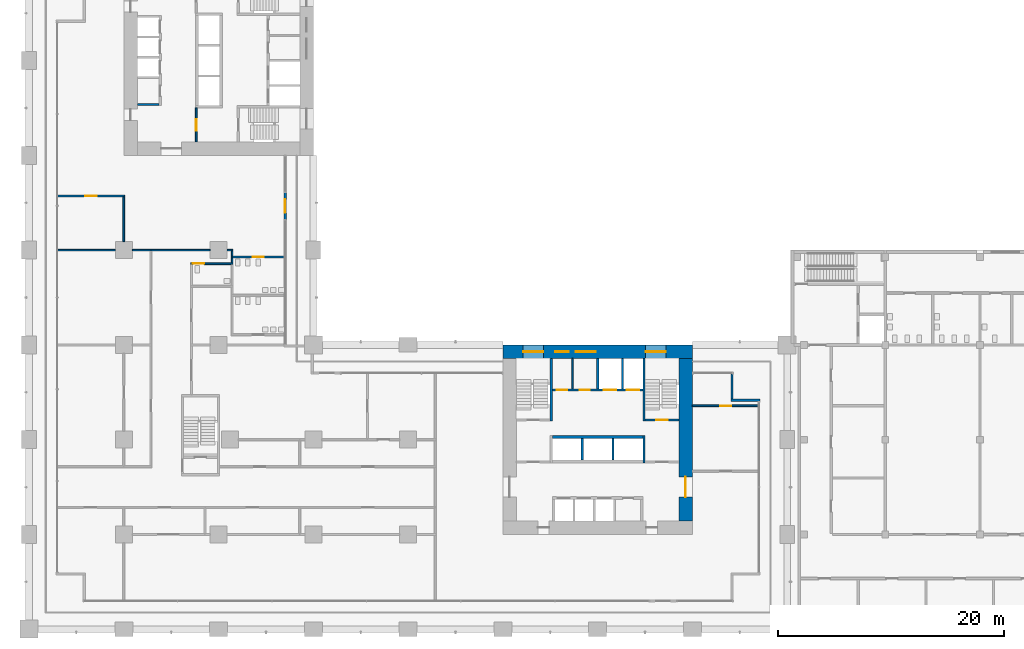
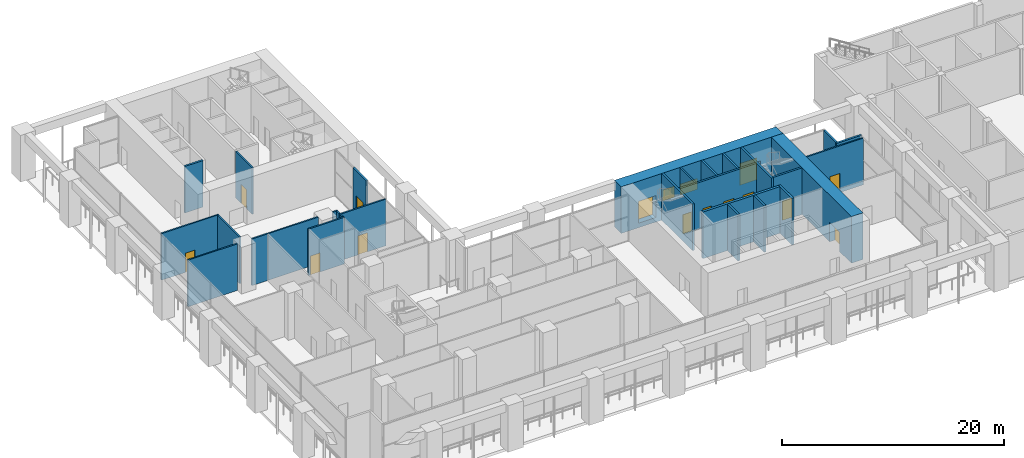
# One storey, part 16 of 32: 29 walls, 12 doors, 4 windows, 16 openings.
"""IFC4 building model written with IfcOpenShell, lengths in metres."""

from ifc_helpers import new_model, si_unit, direction, frame, frame_2d, origin, place, context, subcontext, project, spatial, rectangle, extrude, material, layer, layer_set, type_object, element, fill, save


model = new_model("IFC4")

# Units and contexts
model_context = context("Model", 3, precision=1e-05, world=origin(), true_north=direction((0.0, 1.0)))
body_context = subcontext(model_context, "Body", "Model", "MODEL_VIEW")
ifc_project = project(units=[si_unit("LENGTHUNIT", "METRE"), si_unit("AREAUNIT", "SQUARE_METRE"), si_unit("VOLUMEUNIT", "CUBIC_METRE"), si_unit("PLANEANGLEUNIT", "RADIAN"), si_unit("MASSUNIT", "GRAM", prefix="KILO")], contexts=[model_context])

# Site, building, storey
site_placement = place(None, origin())
site = spatial("IfcSite", under=ifc_project, at=site_placement, CompositionType="ELEMENT")
building_placement = place(site_placement, origin())
building = spatial("IfcBuilding", under=site, at=building_placement, Name="Vermilion Gate Residences", CompositionType="ELEMENT")
storey_placement = place(building_placement, frame((0.0, 0.0, 19.800048828125)))
storey = spatial("IfcBuildingStorey", under=building, at=storey_placement, Name="L03", CompositionType="ELEMENT", Elevation=19.800048828125)

# Wall
ifc_material_1 = material(Name="Masonry blockwork", Category="masonry")
ifc_layer_1 = layer(ifc_material_1, 0.14990234375)
ifc_layer_set_1 = layer_set([ifc_layer_1], Name="BLOCKWORK PARTITION 150 EI 120")
wall_type_1 = type_object("IfcWallType", Name="BLOCKWORK PARTITION 150 EI 120", PredefinedType="PARTITIONING", material=ifc_layer_set_1)
wall_1_placement = place(storey_placement, frame((48.16259765625, 21.300048828125, 0.0), z_axis=(0.0, 0.0, 1.0), x_axis=(0.0, 1.0, 0.0)))
element("IfcWall", 1, at=wall_1_placement, inside=storey, type_object=wall_type_1, Name="Core room partition A03-NR-P0", PredefinedType="PARTITIONING", context=body_context, shape_type="SweptSolid", body=[
    extrude(rectangle(XDim=2.699951171875, YDim=0.14990234375, at=frame_2d((1.35009765625, 0.0))), origin(), (0.0, 0.0, 1.0), 5.119873046875),
])

# Wall, opening, door
wall_2_placement = place(storey_placement, frame((14.824951171875, 46.199951171875, 0.0), z_axis=(0.0, 0.0, 1.0), x_axis=(0.0, -1.0, 0.0)))
wall_2 = element("IfcWall", 2, at=wall_2_placement, inside=storey, type_object=wall_type_1, Name="Core room partition B03-VE-S", PredefinedType="PARTITIONING", context=body_context, shape_type="SweptSolid", body=[
    extrude(rectangle(XDim=3.0, YDim=0.14990234375, at=frame_2d((1.5, 0.0))), origin(), (0.0, 0.0, 1.0), 5.119873046875),
])
opening_1_placement = place(wall_2_placement, frame((1.0, 0.0, 0.0)))
opening_1 = element("IfcOpeningElement", 3, at=opening_1_placement, cuts=wall_2, Name="Opening DK03114", PredefinedType="OPENING", context=body_context, shape_type="SweptSolid", body=[
    extrude(rectangle(XDim=1.0, YDim=2.10009765625, at=frame_2d((0.5, 1.050048828125))), frame((0.0, 0.0849609375, 0.0), z_axis=(0.0, -1.0, 0.0), x_axis=(1.0, 0.0, 0.0)), (0.0, 0.0, 1.0), 0.169921875),
])
ifc_material_2 = material(Name="Steel", Category="steel")
door_type_1 = type_object("IfcDoorType", Name="FIRE DOOR FD60 1000 X 2100", OperationType="SINGLE_SWING_LEFT", PredefinedType="DOOR", material=ifc_material_2)
door_1_placement = place(opening_1_placement, frame((1.0, 0.0, 0.0), z_axis=(0.0, 0.0, 1.0), x_axis=(-1.0, 0.0, 0.0)))
door_1 = element("IfcDoor", 4, at=door_1_placement, inside=storey, type_object=door_type_1, Name="Stair vestibule door B03", OperationType="SINGLE_SWING_LEFT", OverallHeight=2.10009765625, OverallWidth=1.0, PredefinedType="DOOR", context=body_context, shape_type="SweptSolid", body=[
    extrude(rectangle(XDim=1.0, YDim=2.10009765625, at=frame_2d((0.5, 1.050048828125))), frame((0.0, 0.02490234375, 0.0), z_axis=(0.0, -1.0, 0.0), x_axis=(1.0, 0.0, 0.0)), (0.0, 0.0, 1.0), 0.050048828125),
])
fill(opening_1, door_1)

# Walls
ifc_material_3 = material(Name="Insulated steel stud wall with terracotta rainscreen", Category="masonry")
ifc_layer_2 = layer(ifc_material_3, 0.199951171875)
ifc_layer_set_2 = layer_set([ifc_layer_2], Name="EXTERNAL WALL 200 TERRACOTTA RAINSCREEN")
wall_type_2 = type_object("IfcWallType", Name="EXTERNAL WALL 200 TERRACOTTA RAINSCREEN", PredefinedType="SOLIDWALL", material=ifc_layer_set_2)
wall_3_placement = place(storey_placement, frame((64.800048828125, 20.300048828125, 0.0), z_axis=(0.0, 0.0, 1.0), x_axis=(-1.0, 0.0, 0.0)))
element("IfcWall", 5, at=wall_3_placement, inside=storey, type_object=wall_type_2, Name="External wall", PredefinedType="SOLIDWALL", context=body_context, shape_type="SweptSolid", body=[
    extrude(rectangle(XDim=2.60009765625, YDim=0.199951171875, at=frame_2d((1.300048828125, 0.0))), origin(), (0.0, 0.0, 1.0), 5.119873046875),
])
wall_4_placement = place(storey_placement, frame((62.300048828125, 20.39990234375, 0.0), z_axis=(0.0, 0.0, 1.0), x_axis=(0.0, 1.0, 0.0)))
element("IfcWall", 6, at=wall_4_placement, inside=storey, type_object=wall_type_2, Name="External wall", PredefinedType="SOLIDWALL", context=body_context, shape_type="SweptSolid", body=[
    extrude(rectangle(XDim=2.2001953125, YDim=0.199951171875, at=frame_2d((1.10009765625, 0.0))), origin(), (0.0, 0.0, 1.0), 5.119873046875),
])

# Wall, opening, door
wall_5_placement = place(storey_placement, frame((22.699951171875, 36.300048828125, 0.0), z_axis=(0.0, 0.0, 1.0), x_axis=(0.0, 1.0, 0.0)))
wall_5 = element("IfcWall", 7, at=wall_5_placement, inside=storey, type_object=wall_type_2, Name="External wall", PredefinedType="SOLIDWALL", context=body_context, shape_type="SweptSolid", body=[
    extrude(rectangle(XDim=2.39990234375, YDim=0.199951171875, at=frame_2d((1.199951171875, 0.0))), origin(), (0.0, 0.0, 1.0), 5.119873046875),
])
opening_2_placement = place(wall_5_placement, frame((0.60009765625, 0.0, 0.0)))
opening_2 = element("IfcOpeningElement", 8, at=opening_2_placement, cuts=wall_5, Name="Opening DE03003", PredefinedType="OPENING", context=body_context, shape_type="SweptSolid", body=[
    extrude(rectangle(XDim=1.199951171875, YDim=2.39990234375, at=frame_2d((0.60009765625, 1.199951171875))), frame((0.0, 0.10986328125, 0.0), z_axis=(0.0, -1.0, 0.0), x_axis=(1.0, 0.0, 0.0)), (0.0, 0.0, 1.0), 0.219970703125),
])
ifc_material_4 = material(Name="Aluminium and clear glass", Category="aluminium")
door_type_2 = type_object("IfcDoorType", Name="GLAZED EXTERNAL DOOR 1200 X 2400", OperationType="SINGLE_SWING_LEFT", PredefinedType="DOOR", material=ifc_material_4)
door_2_placement = place(opening_2_placement, frame((1.199951171875, 0.0, 0.0), z_axis=(0.0, 0.0, 1.0), x_axis=(-1.0, 0.0, 0.0)))
door_2 = element("IfcDoor", 9, at=door_2_placement, inside=storey, type_object=door_type_2, Name="Terrace door", OperationType="SINGLE_SWING_RIGHT", OverallHeight=2.39990234375, OverallWidth=1.199951171875, PredefinedType="DOOR", context=body_context, shape_type="SweptSolid", body=[
    extrude(rectangle(XDim=1.199951171875, YDim=2.39990234375, at=frame_2d((0.60009765625, 1.199951171875))), frame((0.0, 0.02490234375, 0.0), z_axis=(0.0, -1.0, 0.0), x_axis=(1.0, 0.0, 0.0)), (0.0, 0.0, 1.0), 0.050048828125),
])
fill(opening_2, door_2)

# Wall
ifc_material_5 = material(Name="Gypsum board on steel studs", Category="steel")
ifc_layer_3 = layer(ifc_material_5, 0.14990234375)
ifc_layer_set_3 = layer_set([ifc_layer_3], Name="PARTITION 150 EI 60 (AMENITY)")
wall_type_3 = type_object("IfcWallType", Name="PARTITION 150 EI 60 (AMENITY)", PredefinedType="PARTITIONING", material=ifc_layer_set_3)
wall_6_placement = place(storey_placement, frame((2.5, 33.60009765625, 0.0), z_axis=(0.0, 0.0, 1.0), x_axis=(1.0, 0.0, 0.0)))
element("IfcWall", 10, at=wall_6_placement, inside=storey, type_object=wall_type_3, Name="Partition 4", PredefinedType="PARTITIONING", context=body_context, shape_type="SweptSolid", body=[
    extrude(rectangle(XDim=5.14990234375, YDim=0.14990234375, at=frame_2d((2.574951171875, 0.0))), origin(), (0.0, 0.0, 1.0), 5.119873046875),
])

# Wall, opening, door
wall_7_placement = place(storey_placement, frame((2.5, 38.39990234375, 0.0), z_axis=(0.0, 0.0, 1.0), x_axis=(1.0, 0.0, 0.0)))
wall_7 = element("IfcWall", 11, at=wall_7_placement, inside=storey, type_object=wall_type_3, Name="Partition 5", PredefinedType="PARTITIONING", context=body_context, shape_type="SweptSolid", body=[
    extrude(rectangle(XDim=5.97509765625, YDim=0.14990234375, at=frame_2d((2.987548828125, 0.0))), origin(), (0.0, 0.0, 1.0), 5.119873046875),
])
opening_3_placement = place(wall_7_placement, frame((2.487548828125, 0.0, 0.0)))
opening_3 = element("IfcOpeningElement", 12, at=opening_3_placement, cuts=wall_7, Name="Opening DM03018", PredefinedType="OPENING", context=body_context, shape_type="SweptSolid", body=[
    extrude(rectangle(XDim=1.0, YDim=2.10009765625, at=frame_2d((0.5, 1.050048828125))), frame((0.0, 0.0849609375, 0.0), z_axis=(0.0, -1.0, 0.0), x_axis=(1.0, 0.0, 0.0)), (0.0, 0.0, 1.0), 0.169921875),
])
ifc_material_6 = material(Name="Steel", Category="steel")
door_type_3 = type_object("IfcDoorType", Name="DOOR 1000 X 2100 FD30 (AMENITY)", OperationType="SINGLE_SWING_LEFT", PredefinedType="DOOR", material=ifc_material_6)
door_3_placement = place(opening_3_placement, frame((1.0, 0.0, 0.0), z_axis=(0.0, 0.0, 1.0), x_axis=(-1.0, 0.0, 0.0)))
door_3 = element("IfcDoor", 13, at=door_3_placement, inside=storey, type_object=door_type_3, Name="Door L03 18", OperationType="SINGLE_SWING_LEFT", OverallHeight=2.10009765625, OverallWidth=1.0, PredefinedType="DOOR", context=body_context, shape_type="SweptSolid", body=[
    extrude(rectangle(XDim=1.0, YDim=2.10009765625, at=frame_2d((0.5, 1.050048828125))), frame((0.0, 0.02490234375, 0.0), z_axis=(0.0, -1.0, 0.0), x_axis=(1.0, 0.0, 0.0)), (0.0, 0.0, 1.0), 0.050048828125),
])
fill(opening_3, door_3)

# Walls
wall_8_placement = place(storey_placement, frame((8.39990234375, 34.35009765625, 0.0), z_axis=(0.0, 0.0, 1.0), x_axis=(0.0, 1.0, 0.0)))
element("IfcWall", 14, at=wall_8_placement, inside=storey, type_object=wall_type_3, Name="Partition 14", PredefinedType="PARTITIONING", context=body_context, shape_type="SweptSolid", body=[
    extrude(rectangle(XDim=3.974853515625, YDim=0.14990234375, at=frame_2d((1.9873046875, 0.0))), origin(), (0.0, 0.0, 1.0), 5.119873046875),
])
wall_9_placement = place(storey_placement, frame((9.14990234375, 33.60009765625, 0.0), z_axis=(0.0, 0.0, 1.0), x_axis=(1.0, 0.0, 0.0)))
element("IfcWall", 15, at=wall_9_placement, inside=storey, type_object=wall_type_3, Name="Partition 15", PredefinedType="PARTITIONING", context=body_context, shape_type="SweptSolid", body=[
    extrude(rectangle(XDim=1.650146484375, YDim=0.14990234375, at=frame_2d((0.8251953125, 0.0))), origin(), (0.0, 0.0, 1.0), 5.119873046875),
])
wall_10_placement = place(storey_placement, frame((10.800048828125, 33.60009765625, 0.0), z_axis=(0.0, 0.0, 1.0), x_axis=(1.0, 0.0, 0.0)))
element("IfcWall", 16, at=wall_10_placement, inside=storey, type_object=wall_type_3, Name="Partition 18", PredefinedType="PARTITIONING", context=body_context, shape_type="SweptSolid", body=[
    extrude(rectangle(XDim=5.25, YDim=0.14990234375, at=frame_2d((2.625, 0.0))), origin(), (0.0, 0.0, 1.0), 5.119873046875),
])
wall_11_placement = place(storey_placement, frame((17.550048828125, 33.60009765625, 0.0), z_axis=(0.0, 0.0, 1.0), x_axis=(1.0, 0.0, 0.0)))
element("IfcWall", 17, at=wall_11_placement, inside=storey, type_object=wall_type_3, Name="Partition 19", PredefinedType="PARTITIONING", context=body_context, shape_type="SweptSolid", body=[
    extrude(rectangle(XDim=0.52490234375, YDim=0.14990234375, at=frame_2d((0.262451171875, 0.0))), origin(), (0.0, 0.0, 1.0), 5.119873046875),
])

# Wall, opening, door
wall_12_placement = place(storey_placement, frame((14.324951171875, 32.39990234375, 0.0), z_axis=(0.0, 0.0, 1.0), x_axis=(1.0, 0.0, 0.0)))
wall_12 = element("IfcWall", 18, at=wall_12_placement, inside=storey, type_object=wall_type_3, Name="Partition 26", PredefinedType="PARTITIONING", context=body_context, shape_type="SweptSolid", body=[
    extrude(rectangle(XDim=3.75, YDim=0.14990234375, at=frame_2d((1.875, 0.0))), origin(), (0.0, 0.0, 1.0), 5.119873046875),
])
opening_4_placement = place(wall_12_placement, frame((0.199951171875, 0.0, 0.0)))
opening_4 = element("IfcOpeningElement", 19, at=opening_4_placement, cuts=wall_12, Name="Opening DM03016", PredefinedType="OPENING", context=body_context, shape_type="SweptSolid", body=[
    extrude(rectangle(XDim=1.0, YDim=2.10009765625, at=frame_2d((0.5, 1.050048828125))), frame((0.0, 0.0849609375, 0.0), z_axis=(0.0, -1.0, 0.0), x_axis=(1.0, 0.0, 0.0)), (0.0, 0.0, 1.0), 0.169921875),
])
door_4_placement = place(opening_4_placement, frame((1.0, 0.0, 0.0), z_axis=(0.0, 0.0, 1.0), x_axis=(-1.0, 0.0, 0.0)))
door_4 = element("IfcDoor", 20, at=door_4_placement, inside=storey, type_object=door_type_3, Name="Door L03 16", OperationType="SINGLE_SWING_RIGHT", OverallHeight=2.10009765625, OverallWidth=1.0, PredefinedType="DOOR", context=body_context, shape_type="SweptSolid", body=[
    extrude(rectangle(XDim=1.0, YDim=2.10009765625, at=frame_2d((0.5, 1.050048828125))), frame((0.0, 0.02490234375, 0.0), z_axis=(0.0, -1.0, 0.0), x_axis=(1.0, 0.0, 0.0)), (0.0, 0.0, 1.0), 0.050048828125),
])
fill(opening_4, door_4)

# Walls
for number, where, z_axis, x_axis, name in (
    (21, (18.0, 32.47509765625, 0.0), (0.0, 0.0, 1.0), (0.0, 1.0, 0.0), "Partition 38"),
    (22, (18.0, 33.074951171875, 0.0), (0.0, 0.0, 1.0), (0.0, 1.0, 0.0), "Partition 39"),
):
    element("IfcWall", number, at=place(storey_placement, frame(where, z_axis=z_axis, x_axis=x_axis)), inside=storey, type_object=wall_type_3, Name=name, PredefinedType="PARTITIONING", context=body_context, shape_type="SweptSolid", body=[
        extrude(rectangle(XDim=0.449951171875, YDim=0.14990234375, at=frame_2d((0.22509765625, 0.0))), origin(), (0.0, 0.0, 1.0), 5.119873046875),
    ])

# Wall, opening, door
wall_13_placement = place(storey_placement, frame((17.925048828125, 33.0, 0.0), z_axis=(0.0, 0.0, 1.0), x_axis=(1.0, 0.0, 0.0)))
wall_13 = element("IfcWall", 23, at=wall_13_placement, inside=storey, type_object=wall_type_3, Name="Partition 40", PredefinedType="PARTITIONING", context=body_context, shape_type="SweptSolid", body=[
    extrude(rectangle(XDim=4.77490234375, YDim=0.14990234375, at=frame_2d((2.387451171875, 0.0))), origin(), (0.0, 0.0, 1.0), 5.119873046875),
])
opening_5_placement = place(wall_13_placement, frame((1.887451171875, 0.0, 0.0)))
opening_5 = element("IfcOpeningElement", 24, at=opening_5_placement, cuts=wall_13, Name="Opening DM03015", PredefinedType="OPENING", context=body_context, shape_type="SweptSolid", body=[
    extrude(rectangle(XDim=1.0, YDim=2.10009765625, at=frame_2d((0.5, 1.050048828125))), frame((0.0, 0.0849609375, 0.0), z_axis=(0.0, -1.0, 0.0), x_axis=(1.0, 0.0, 0.0)), (0.0, 0.0, 1.0), 0.169921875),
])
door_5_placement = place(opening_5_placement, origin())
door_5 = element("IfcDoor", 25, at=door_5_placement, inside=storey, type_object=door_type_3, Name="Door L03 15", OperationType="SINGLE_SWING_LEFT", OverallHeight=2.10009765625, OverallWidth=1.0, PredefinedType="DOOR", context=body_context, shape_type="SweptSolid", body=[
    extrude(rectangle(XDim=1.0, YDim=2.10009765625, at=frame_2d((0.5, 1.050048828125))), frame((0.0, 0.02490234375, 0.0), z_axis=(0.0, -1.0, 0.0), x_axis=(1.0, 0.0, 0.0)), (0.0, 0.0, 1.0), 0.050048828125),
])
fill(opening_5, door_5)

wall_14_placement = place(storey_placement, frame((58.800048828125, 19.800048828125, 0.0), z_axis=(0.0, 0.0, 1.0), x_axis=(1.0, 0.0, 0.0)))
wall_14 = element("IfcWall", 26, at=wall_14_placement, inside=storey, type_object=wall_type_3, Name="Partition 59", PredefinedType="PARTITIONING", context=body_context, shape_type="SweptSolid", body=[
    extrude(rectangle(XDim=5.89990234375, YDim=0.14990234375, at=frame_2d((2.949951171875, 0.0))), origin(), (0.0, 0.0, 1.0), 5.119873046875),
])
opening_6_placement = place(wall_14_placement, frame((2.449951171875, 0.0, 0.0)))
opening_6 = element("IfcOpeningElement", 27, at=opening_6_placement, cuts=wall_14, Name="Opening DM03020", PredefinedType="OPENING", context=body_context, shape_type="SweptSolid", body=[
    extrude(rectangle(XDim=1.0, YDim=2.10009765625, at=frame_2d((0.5, 1.050048828125))), frame((0.0, 0.0849609375, 0.0), z_axis=(0.0, -1.0, 0.0), x_axis=(1.0, 0.0, 0.0)), (0.0, 0.0, 1.0), 0.169921875),
])
door_6_placement = place(opening_6_placement, origin())
door_6 = element("IfcDoor", 28, at=door_6_placement, inside=storey, type_object=door_type_3, Name="Door L03 20", OperationType="SINGLE_SWING_LEFT", OverallHeight=2.10009765625, OverallWidth=1.0, PredefinedType="DOOR", context=body_context, shape_type="SweptSolid", body=[
    extrude(rectangle(XDim=1.0, YDim=2.10009765625, at=frame_2d((0.5, 1.050048828125))), frame((0.0, 0.02490234375, 0.0), z_axis=(0.0, -1.0, 0.0), x_axis=(1.0, 0.0, 0.0)), (0.0, 0.0, 1.0), 0.050048828125),
])
fill(opening_6, door_6)

# Walls
ifc_material_7 = material(Name="Concrete C60", Category="concrete")
ifc_layer_4 = layer(ifc_material_7, 0.199951171875)
ifc_layer_set_4 = layer_set([ifc_layer_4], Name="RC CORE INTERNAL WALL 200 C60")
wall_type_4 = type_object("IfcWallType", Name="RC CORE INTERNAL WALL 200 C60", PredefinedType="SHEAR", material=ifc_layer_set_4)
for number, where, z_axis, x_axis, name in (
    (29, (49.033447265625, 15.0, 0.0), (0.0, 0.0, 1.0), (0.0, 1.0, 0.0), "Core internal wall A03-HR-D1"),
    (30, (51.7666015625, 15.0, 0.0), (0.0, 0.0, 1.0), (0.0, 1.0, 0.0), "Core internal wall A03-HR-D2"),
):
    element("IfcWall", number, at=place(storey_placement, frame(where, z_axis=z_axis, x_axis=x_axis)), inside=storey, type_object=wall_type_4, Name=name, PredefinedType="SHEAR", context=body_context, shape_type="SweptSolid", body=[
        extrude(rectangle(XDim=1.89990234375, YDim=0.199951171875, at=frame_2d((0.949951171875, 0.0))), origin(), (0.0, 0.0, 1.0), 5.119873046875),
    ])
for number, where, z_axis, x_axis, name in (
    (31, (50.39990234375, 21.300048828125, 0.0), (0.0, 0.0, 1.0), (0.0, 1.0, 0.0), "Core internal wall A03-FF-D0"),
    (32, (52.60009765625, 21.300048828125, 0.0), (0.0, 0.0, 1.0), (0.0, 1.0, 0.0), "Core internal wall A03-FF-D1"),
):
    element("IfcWall", number, at=place(storey_placement, frame(where, z_axis=z_axis, x_axis=x_axis)), inside=storey, type_object=wall_type_4, Name=name, PredefinedType="SHEAR", context=body_context, shape_type="SweptSolid", body=[
        extrude(rectangle(XDim=2.699951171875, YDim=0.199951171875, at=frame_2d((1.35009765625, 0.0))), origin(), (0.0, 0.0, 1.0), 5.119873046875),
    ])

# Wall, openings, doors
wall_15_placement = place(storey_placement, frame((46.39990234375, 21.199951171875, 0.0), z_axis=(0.0, 0.0, 1.0), x_axis=(1.0, 0.0, 0.0)))
wall_15 = element("IfcWall", 33, at=wall_15_placement, inside=storey, type_object=wall_type_4, Name="Core internal wall A03-FF-F", PredefinedType="SHEAR", context=body_context, shape_type="SweptSolid", body=[
    extrude(rectangle(XDim=8.0, YDim=0.199951171875, at=frame_2d((4.0, 0.0))), origin(), (0.0, 0.0, 1.0), 5.119873046875),
])
opening_7_placement = place(wall_15_placement, frame((0.393798828125, 0.0, 0.0)))
opening_7 = element("IfcOpeningElement", 34, at=opening_7_placement, cuts=wall_15, Name="Opening DK03009", PredefinedType="OPENING", context=body_context, shape_type="SweptSolid", body=[
    extrude(rectangle(XDim=0.89990234375, YDim=2.10009765625, at=frame_2d((0.449951171875, 1.050048828125))), frame((0.0, 0.10986328125, 0.0), z_axis=(0.0, -1.0, 0.0), x_axis=(1.0, 0.0, 0.0)), (0.0, 0.0, 1.0), 0.219970703125),
])
opening_8_placement = place(wall_15_placement, frame((2.418701171875, 0.0, 0.0)))
opening_8 = element("IfcOpeningElement", 35, at=opening_8_placement, cuts=wall_15, Name="Opening DK03010", PredefinedType="OPENING", context=body_context, shape_type="SweptSolid", body=[
    extrude(rectangle(XDim=0.89990234375, YDim=2.10009765625, at=frame_2d((0.449951171875, 1.050048828125))), frame((0.0, 0.10986328125, 0.0), z_axis=(0.0, -1.0, 0.0), x_axis=(1.0, 0.0, 0.0)), (0.0, 0.0, 1.0), 0.219970703125),
])
opening_9_placement = place(wall_15_placement, frame((4.550048828125, 0.0, 0.0)))
opening_9 = element("IfcOpeningElement", 36, at=opening_9_placement, cuts=wall_15, Name="Opening LD", PredefinedType="OPENING", context=body_context, shape_type="SweptSolid", body=[
    extrude(rectangle(XDim=1.10009765625, YDim=2.10009765625, at=frame_2d((0.550048828125, 1.050048828125))), frame((0.0, 0.10986328125, 0.0), z_axis=(0.0, -1.0, 0.0), x_axis=(1.0, 0.0, 0.0)), (0.0, 0.0, 1.0), 0.219970703125),
])
opening_10_placement = place(wall_15_placement, frame((6.60009765625, 0.0, 0.0)))
opening_10 = element("IfcOpeningElement", 37, at=opening_10_placement, cuts=wall_15, Name="Opening LD", PredefinedType="OPENING", context=body_context, shape_type="SweptSolid", body=[
    extrude(rectangle(XDim=1.10009765625, YDim=2.10009765625, at=frame_2d((0.550048828125, 1.050048828125))), frame((0.0, 0.10986328125, 0.0), z_axis=(0.0, -1.0, 0.0), x_axis=(1.0, 0.0, 0.0)), (0.0, 0.0, 1.0), 0.219970703125),
])
ifc_material_8 = material(Name="Stainless steel", Category="steel")
door_type_4 = type_object("IfcDoorType", Name="LIFT LANDING DOOR E60 1100 X 2100", OperationType="DOUBLE_DOOR_SLIDING", PredefinedType="DOOR", material=ifc_material_8)
door_7_placement = place(opening_9_placement, origin())
door_7 = element("IfcDoor", 38, at=door_7_placement, inside=storey, type_object=door_type_4, Name="Lift landing door LFA1", OperationType="DOUBLE_DOOR_SLIDING", OverallHeight=2.10009765625, OverallWidth=1.10009765625, PredefinedType="DOOR", context=body_context, shape_type="SweptSolid", body=[
    extrude(rectangle(XDim=1.10009765625, YDim=2.10009765625, at=frame_2d((0.550048828125, 1.050048828125))), frame((0.0, 0.02490234375, 0.0), z_axis=(0.0, -1.0, 0.0), x_axis=(1.0, 0.0, 0.0)), (0.0, 0.0, 1.0), 0.050048828125),
])
fill(opening_9, door_7)
door_8_placement = place(opening_10_placement, origin())
door_8 = element("IfcDoor", 39, at=door_8_placement, inside=storey, type_object=door_type_4, Name="Lift landing door LCA1", OperationType="DOUBLE_DOOR_SLIDING", OverallHeight=2.10009765625, OverallWidth=1.10009765625, PredefinedType="DOOR", context=body_context, shape_type="SweptSolid", body=[
    extrude(rectangle(XDim=1.10009765625, YDim=2.10009765625, at=frame_2d((0.550048828125, 1.050048828125))), frame((0.0, 0.02490234375, 0.0), z_axis=(0.0, -1.0, 0.0), x_axis=(1.0, 0.0, 0.0)), (0.0, 0.0, 1.0), 0.050048828125),
])
fill(opening_10, door_8)
ifc_material_9 = material(Name="Steel", Category="steel")
door_type_5 = type_object("IfcDoorType", Name="SERVICE ROOM DOOR FD60 900 X 2100", OperationType="SINGLE_SWING_LEFT", PredefinedType="DOOR", material=ifc_material_9)
door_9_placement = place(opening_7_placement, origin())
door_9 = element("IfcDoor", 40, at=door_9_placement, inside=storey, type_object=door_type_5, Name="Electrical riser A03", OperationType="SINGLE_SWING_LEFT", OverallHeight=2.10009765625, OverallWidth=0.89990234375, PredefinedType="DOOR", context=body_context, shape_type="SweptSolid", body=[
    extrude(rectangle(XDim=0.89990234375, YDim=2.10009765625, at=frame_2d((0.449951171875, 1.050048828125))), frame((0.0, 0.02490234375, 0.0), z_axis=(0.0, -1.0, 0.0), x_axis=(1.0, 0.0, 0.0)), (0.0, 0.0, 1.0), 0.050048828125),
])
fill(opening_7, door_9)
door_10_placement = place(opening_8_placement, origin())
door_10 = element("IfcDoor", 41, at=door_10_placement, inside=storey, type_object=door_type_5, Name="Cleaner's store A03", OperationType="SINGLE_SWING_LEFT", OverallHeight=2.10009765625, OverallWidth=0.89990234375, PredefinedType="DOOR", context=body_context, shape_type="SweptSolid", body=[
    extrude(rectangle(XDim=0.89990234375, YDim=2.10009765625, at=frame_2d((0.449951171875, 1.050048828125))), frame((0.0, 0.02490234375, 0.0), z_axis=(0.0, -1.0, 0.0), x_axis=(1.0, 0.0, 0.0)), (0.0, 0.0, 1.0), 0.050048828125),
])
fill(opening_8, door_10)

# Walls
wall_16_placement = place(storey_placement, frame((46.300048828125, 18.449951171875, 0.0), z_axis=(0.0, 0.0, 1.0), x_axis=(0.0, 1.0, 0.0)))
element("IfcWall", 42, at=wall_16_placement, inside=storey, type_object=wall_type_4, Name="Core internal wall A03-WDIV2", PredefinedType="SHEAR", context=body_context, shape_type="SweptSolid", body=[
    extrude(rectangle(XDim=5.550048828125, YDim=0.199951171875, at=frame_2d((2.77490234375, 0.0))), origin(), (0.0, 0.0, 1.0), 5.119873046875),
])
wall_17_placement = place(storey_placement, frame((54.5, 14.75, 0.0), z_axis=(0.0, 0.0, 1.0), x_axis=(0.0, 1.0, 0.0)))
element("IfcWall", 43, at=wall_17_placement, inside=storey, type_object=wall_type_4, Name="Core internal wall A03-EDIV1", PredefinedType="SHEAR", context=body_context, shape_type="SweptSolid", body=[
    extrude(rectangle(XDim=2.39990234375, YDim=0.199951171875, at=frame_2d((1.199951171875, 0.0))), origin(), (0.0, 0.0, 1.0), 5.119873046875),
])
wall_18_placement = place(storey_placement, frame((54.5, 18.449951171875, 0.0), z_axis=(0.0, 0.0, 1.0), x_axis=(0.0, 1.0, 0.0)))
element("IfcWall", 44, at=wall_18_placement, inside=storey, type_object=wall_type_4, Name="Core internal wall A03-EDIV2", PredefinedType="SHEAR", context=body_context, shape_type="SweptSolid", body=[
    extrude(rectangle(XDim=5.550048828125, YDim=0.199951171875, at=frame_2d((2.77490234375, 0.0))), origin(), (0.0, 0.0, 1.0), 5.119873046875),
])

# Wall, opening, door
wall_19_placement = place(storey_placement, frame((54.60009765625, 18.550048828125, 0.0), z_axis=(0.0, 0.0, 1.0), x_axis=(1.0, 0.0, 0.0)))
wall_19 = element("IfcWall", 45, at=wall_19_placement, inside=storey, type_object=wall_type_4, Name="Core internal wall A03-STE-S", PredefinedType="SHEAR", context=body_context, shape_type="SweptSolid", body=[
    extrude(rectangle(XDim=3.0, YDim=0.199951171875, at=frame_2d((1.5, 0.0))), origin(), (0.0, 0.0, 1.0), 5.119873046875),
])
opening_11_placement = place(wall_19_placement, frame((1.0, 0.0, 0.0)))
opening_11 = element("IfcOpeningElement", 46, at=opening_11_placement, cuts=wall_19, Name="Opening DK03016", PredefinedType="OPENING", context=body_context, shape_type="SweptSolid", body=[
    extrude(rectangle(XDim=1.0, YDim=2.10009765625, at=frame_2d((0.5, 1.050048828125))), frame((0.0, 0.10986328125, 0.0), z_axis=(0.0, -1.0, 0.0), x_axis=(1.0, 0.0, 0.0)), (0.0, 0.0, 1.0), 0.219970703125),
])
door_11_placement = place(opening_11_placement, origin())
door_11 = element("IfcDoor", 47, at=door_11_placement, inside=storey, type_object=door_type_1, Name="Stair door A03", OperationType="SINGLE_SWING_LEFT", OverallHeight=2.10009765625, OverallWidth=1.0, PredefinedType="DOOR", context=body_context, shape_type="SweptSolid", body=[
    extrude(rectangle(XDim=1.0, YDim=2.10009765625, at=frame_2d((0.5, 1.050048828125))), frame((0.0, 0.02490234375, 0.0), z_axis=(0.0, -1.0, 0.0), x_axis=(1.0, 0.0, 0.0)), (0.0, 0.0, 1.0), 0.050048828125),
])
fill(opening_11, door_11)

# Wall
wall_20_placement = place(storey_placement, frame((9.60009765625, 46.5, 0.0), z_axis=(0.0, 0.0, 1.0), x_axis=(1.0, 0.0, 0.0)))
element("IfcWall", 48, at=wall_20_placement, inside=storey, type_object=wall_type_4, Name="Core internal wall B03-LR-DE", PredefinedType="SHEAR", context=body_context, shape_type="SweptSolid", body=[
    extrude(rectangle(XDim=1.89990234375, YDim=0.199951171875, at=frame_2d((0.949951171875, 0.0))), origin(), (0.0, 0.0, 1.0), 5.119873046875),
])

# Wall, opening, door
ifc_material_10 = material(Name="Concrete C80", Category="concrete")
ifc_layer_5 = layer(ifc_material_10, 1.199951171875)
ifc_layer_set_5 = layer_set([ifc_layer_5], Name="RC CORE WALL 1200 C80")
wall_type_5 = type_object("IfcWallType", Name="RC CORE WALL 1200 C80", PredefinedType="SHEAR", material=ifc_layer_set_5)
wall_21_placement = place(storey_placement, frame((58.199951171875, 9.60009765625, 0.0), z_axis=(0.0, 0.0, 1.0), x_axis=(0.0, 1.0, 0.0)))
wall_21 = element("IfcWall", 49, at=wall_21_placement, inside=storey, type_object=wall_type_5, Name="Core wall A03-OUT-BK", PredefinedType="SHEAR", context=body_context, shape_type="SweptSolid", body=[
    extrude(rectangle(XDim=14.39990234375, YDim=1.199951171875, at=frame_2d((7.199951171875, 0.0))), origin(), (0.0, 0.0, 1.0), 5.119873046875),
])
opening_12_placement = place(wall_21_placement, frame((2.10009765625, 0.0, 0.0)))
opening_12 = element("IfcOpeningElement", 50, at=opening_12_placement, cuts=wall_21, Name="Opening DK03004", PredefinedType="OPENING", context=body_context, shape_type="SweptSolid", body=[
    extrude(rectangle(XDim=1.800048828125, YDim=2.10009765625, at=frame_2d((0.89990234375, 1.050048828125))), frame((0.0, 0.60986328125, 0.0), z_axis=(0.0, -1.0, 0.0), x_axis=(1.0, 0.0, 0.0)), (0.0, 0.0, 1.0), 1.219970703125),
])
ifc_material_11 = material(Name="Steel", Category="steel")
door_type_6 = type_object("IfcDoorType", Name="CORE LOBBY DOOR FD60 1800 X 2100", OperationType="DOUBLE_DOOR_SINGLE_SWING", PredefinedType="DOOR", material=ifc_material_11)
door_12_placement = place(opening_12_placement, origin())
door_12 = element("IfcDoor", 51, at=door_12_placement, inside=storey, type_object=door_type_6, Name="Core lobby door A03", OperationType="DOUBLE_DOOR_SINGLE_SWING", OverallHeight=2.10009765625, OverallWidth=1.800048828125, PredefinedType="DOOR", context=body_context, shape_type="SweptSolid", body=[
    extrude(rectangle(XDim=1.800048828125, YDim=2.10009765625, at=frame_2d((0.89990234375, 1.050048828125))), frame((0.0, 0.02490234375, 0.0), z_axis=(0.0, -1.0, 0.0), x_axis=(1.0, 0.0, 0.0)), (0.0, 0.0, 1.0), 0.050048828125),
])
fill(opening_12, door_12)

# Wall, openings, windows
ifc_material_12 = material(Name="Concrete C80 red-oxide pigmented", Category="concrete")
ifc_layer_6 = layer(ifc_material_12, 1.199951171875)
ifc_layer_set_6 = layer_set([ifc_layer_6], Name="RC CORE WALL 1200 C80 RED OXIDE")
wall_type_6 = type_object("IfcWallType", Name="RC CORE WALL 1200 C80 RED OXIDE", PredefinedType="SHEAR", material=ifc_layer_set_6)
wall_22_placement = place(storey_placement, frame((42.0, 24.60009765625, 0.0), z_axis=(0.0, 0.0, 1.0), x_axis=(1.0, 0.0, 0.0)))
wall_22 = element("IfcWall", 52, at=wall_22_placement, inside=storey, type_object=wall_type_6, Name="Core wall A03-OUT-B1", PredefinedType="SHEAR", context=body_context, shape_type="SweptSolid", body=[
    extrude(rectangle(XDim=16.800048828125, YDim=1.199951171875, at=frame_2d((8.39990234375, 0.0))), origin(), (0.0, 0.0, 1.0), 5.119873046875),
])
opening_13_placement = place(wall_22_placement, frame((1.800048828125, 0.0, 0.5)))
opening_13 = element("IfcOpeningElement", 53, at=opening_13_placement, cuts=wall_22, Name="Opening WKA0301", PredefinedType="OPENING", context=body_context, shape_type="SweptSolid", body=[
    extrude(rectangle(XDim=1.800048828125, YDim=2.39990234375, at=frame_2d((0.89990234375, 1.199951171875))), frame((0.0, 0.60986328125, 0.0), z_axis=(0.0, -1.0, 0.0), x_axis=(1.0, 0.0, 0.0)), (0.0, 0.0, 1.0), 1.219970703125),
])
opening_14_placement = place(wall_22_placement, frame((4.643798828125, 0.0, 1.60009765625)))
opening_14 = element("IfcOpeningElement", 54, at=opening_14_placement, cuts=wall_22, Name="Opening WKA0302", PredefinedType="OPENING", context=body_context, shape_type="SweptSolid", body=[
    extrude(rectangle(XDim=1.199951171875, YDim=1.199951171875, at=frame_2d((0.60009765625, 0.60009765625))), frame((0.0, 0.60986328125, 0.0), z_axis=(0.0, -1.0, 0.0), x_axis=(1.0, 0.0, 0.0)), (0.0, 0.0, 1.0), 1.219970703125),
])
opening_15_placement = place(wall_22_placement, frame((6.449951171875, 0.0, 1.60009765625)))
opening_15 = element("IfcOpeningElement", 55, at=opening_15_placement, cuts=wall_22, Name="Opening WKA0303", PredefinedType="OPENING", context=body_context, shape_type="SweptSolid", body=[
    extrude(rectangle(XDim=1.800048828125, YDim=1.199951171875, at=frame_2d((0.89990234375, 0.60009765625))), frame((0.0, 0.60986328125, 0.0), z_axis=(0.0, -1.0, 0.0), x_axis=(1.0, 0.0, 0.0)), (0.0, 0.0, 1.0), 1.219970703125),
])
opening_16_placement = place(wall_22_placement, frame((12.64990234375, 0.0, 0.5)))
opening_16 = element("IfcOpeningElement", 56, at=opening_16_placement, cuts=wall_22, Name="Opening WKA0304", PredefinedType="OPENING", context=body_context, shape_type="SweptSolid", body=[
    extrude(rectangle(XDim=1.800048828125, YDim=2.39990234375, at=frame_2d((0.89990234375, 1.199951171875))), frame((0.0, 0.60986328125, 0.0), z_axis=(0.0, -1.0, 0.0), x_axis=(1.0, 0.0, 0.0)), (0.0, 0.0, 1.0), 1.219970703125),
])
ifc_material_13 = material(Name="Aluminium frame with louvre blades", Category="aluminium")
window_type_1 = type_object("IfcWindowType", Name="CORE LOUVRE 1200 X 1200", PartitioningType="SINGLE_PANEL", PredefinedType="WINDOW", material=ifc_material_13)
window_1_placement = place(opening_14_placement, origin())
window_1 = element("IfcWindow", 57, at=window_1_placement, inside=storey, type_object=window_type_1, Name="Core louvre", OverallHeight=1.199951171875, OverallWidth=1.199951171875, PartitioningType="SINGLE_PANEL", PredefinedType="WINDOW", context=body_context, shape_type="SweptSolid", body=[
    extrude(rectangle(XDim=1.199951171875, YDim=1.199951171875, at=frame_2d((0.60009765625, 0.60009765625))), frame((0.0, 0.030029296875, 0.0), z_axis=(0.0, -1.0, 0.0), x_axis=(1.0, 0.0, 0.0)), (0.0, 0.0, 1.0), 0.06005859375),
])
fill(opening_14, window_1)
ifc_material_14 = material(Name="Aluminium frame with louvre blades", Category="aluminium")
window_type_2 = type_object("IfcWindowType", Name="CORE LOUVRE 1800 X 1200", PartitioningType="SINGLE_PANEL", PredefinedType="WINDOW", material=ifc_material_14)
window_2_placement = place(opening_15_placement, origin())
window_2 = element("IfcWindow", 58, at=window_2_placement, inside=storey, type_object=window_type_2, Name="Core louvre", OverallHeight=1.199951171875, OverallWidth=1.800048828125, PartitioningType="SINGLE_PANEL", PredefinedType="WINDOW", context=body_context, shape_type="SweptSolid", body=[
    extrude(rectangle(XDim=1.800048828125, YDim=1.199951171875, at=frame_2d((0.89990234375, 0.60009765625))), frame((0.0, 0.030029296875, 0.0), z_axis=(0.0, -1.0, 0.0), x_axis=(1.0, 0.0, 0.0)), (0.0, 0.0, 1.0), 0.06005859375),
])
fill(opening_15, window_2)
ifc_material_15 = material(Name="Aluminium and clear glass", Category="aluminium")
window_type_3 = type_object("IfcWindowType", Name="CORE STAIR WINDOW 1800 X 2400", PartitioningType="SINGLE_PANEL", PredefinedType="WINDOW", material=ifc_material_15)
window_3_placement = place(opening_13_placement, origin())
window_3 = element("IfcWindow", 59, at=window_3_placement, inside=storey, type_object=window_type_3, Name="Core stair window", OverallHeight=2.39990234375, OverallWidth=1.800048828125, PartitioningType="SINGLE_PANEL", PredefinedType="WINDOW", context=body_context, shape_type="SweptSolid", body=[
    extrude(rectangle(XDim=1.800048828125, YDim=2.39990234375, at=frame_2d((0.89990234375, 1.199951171875))), frame((0.0, 0.030029296875, 0.0), z_axis=(0.0, -1.0, 0.0), x_axis=(1.0, 0.0, 0.0)), (0.0, 0.0, 1.0), 0.06005859375),
])
fill(opening_13, window_3)
window_4_placement = place(opening_16_placement, origin())
window_4 = element("IfcWindow", 60, at=window_4_placement, inside=storey, type_object=window_type_3, Name="Core stair window", OverallHeight=2.39990234375, OverallWidth=1.800048828125, PartitioningType="SINGLE_PANEL", PredefinedType="WINDOW", context=body_context, shape_type="SweptSolid", body=[
    extrude(rectangle(XDim=1.800048828125, YDim=2.39990234375, at=frame_2d((0.89990234375, 1.199951171875))), frame((0.0, 0.030029296875, 0.0), z_axis=(0.0, -1.0, 0.0), x_axis=(1.0, 0.0, 0.0)), (0.0, 0.0, 1.0), 0.06005859375),
])
fill(opening_16, window_4)

# Wall
ifc_material_16 = material(Name="Concrete C60", Category="concrete")
ifc_layer_7 = layer(ifc_material_16, 0.25)
ifc_layer_set_7 = layer_set([ifc_layer_7], Name="RC LIFT SHAFT WALL 250 C60")
wall_type_7 = type_object("IfcWallType", Name="RC LIFT SHAFT WALL 250 C60", PredefinedType="SHEAR", material=ifc_layer_set_7)
wall_23_placement = place(storey_placement, frame((46.39990234375, 17.02490234375, 0.0), z_axis=(0.0, 0.0, 1.0), x_axis=(1.0, 0.0, 0.0)))
element("IfcWall", 61, at=wall_23_placement, inside=storey, type_object=wall_type_7, Name="Lift shaft wall A03-HR-B", PredefinedType="SHEAR", context=body_context, shape_type="SweptSolid", body=[
    extrude(rectangle(XDim=8.0, YDim=0.25, at=frame_2d((4.0, 0.0))), origin(), (0.0, 0.0, 1.0), 5.119873046875),
])

save(model, "model.ifc")
